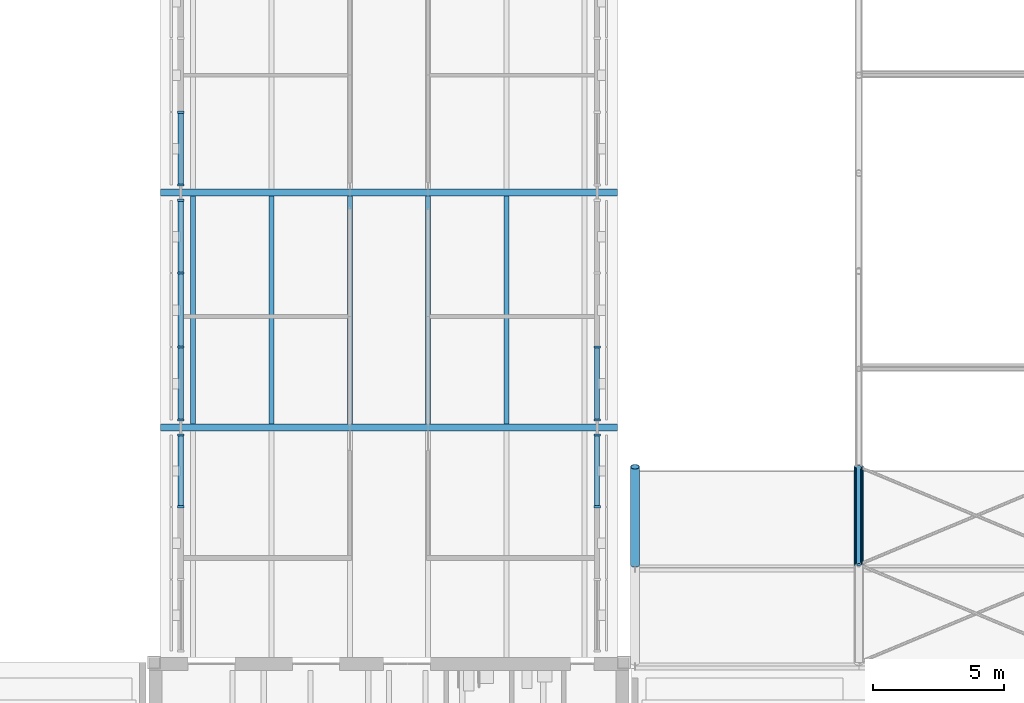
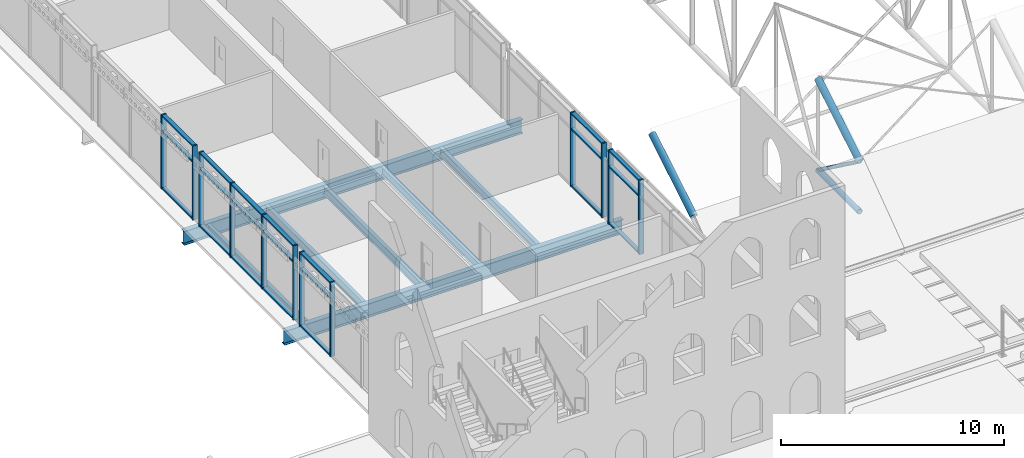
# One storey, part 25 of 153: 37 members, 7 beams, 5 elements without a shape of their own.
"""IFC4 building model written with IfcOpenShell, lengths in metres."""

from ifc_helpers import new_model, si_unit, direction, frame, origin, origin_2d, place, context, subcontext, project, spatial, rectangle, hollow_circle, i_section, extrude, material, material_profile, profile_set, type_object, element, aggregate, save


model = new_model("IFC4")

# Units and contexts
model_context = context("Model", 3, precision=1e-05, world=origin(), true_north=direction((0.0, 1.0)))
body_context = subcontext(model_context, "Body", "Model", "MODEL_VIEW")
ifc_project = project(units=[si_unit("LENGTHUNIT", "METRE"), si_unit("AREAUNIT", "SQUARE_METRE"), si_unit("VOLUMEUNIT", "CUBIC_METRE"), si_unit("PLANEANGLEUNIT", "RADIAN"), si_unit("MASSUNIT", "GRAM", prefix="KILO")], contexts=[model_context])

# Site, building, storey
site_placement = place(None, origin())
site = spatial("IfcSite", under=ifc_project, at=site_placement, CompositionType="ELEMENT")
building_placement = place(site_placement, origin())
building = spatial("IfcBuilding", under=site, at=building_placement, Name="Baradari Gate Terminus", CompositionType="ELEMENT")
storey_placement = place(building_placement, frame((0.0, 0.0, 11.699951171875)))
storey = spatial("IfcBuildingStorey", under=building, at=storey_placement, Name="L02", CompositionType="ELEMENT", Elevation=11.699951171875)

# Curtain wall, members
ifc_material_1 = material(Name="Aluminium 6063-T6", Category="aluminium")
curtain_wall_type = type_object("IfcCurtainWallType", Name="Curtain wall CW-3 gate face, office floors", PredefinedType="NOTDEFINED", material=ifc_material_1)
curtain_wall_1_placement = place(storey_placement, origin())
curtain_wall_1 = element("IfcCurtainWall", 1, at=curtain_wall_1_placement, inside=storey, type_object=curtain_wall_type, Name="Curtain wall CW-3 gate west face L02 bay 1", PredefinedType="NOTDEFINED")
ifc_material_2 = material(Name="Aluminium 6063-T6", Category="aluminium")
ifc_material_profile_1 = material_profile(ifc_material_2, rectangle(XDim=0.25, YDim=0.080078125, at=origin_2d()), Name="CM-3 80X250")
ifc_profile_set_1 = profile_set([ifc_material_profile_1], Name="Aluminium 6063-T6")
member_type_1 = type_object("IfcMemberType", Name="Curtain wall mullion CM-3 80x250", PredefinedType="MULLION", material=ifc_profile_set_1)
member_1_placement = place(storey_placement, frame((73.02490234375, 41.966552734375, 0.0), z_axis=(0.0, 0.0, 1.0), x_axis=(-1.0, 0.0, 0.0)))
member_1 = element("IfcMember", 2, at=member_1_placement, type_object=member_type_1, Name="CW-3 mullion 3", PredefinedType="MULLION", context=body_context, shape_type="SweptSolid", body=[
    extrude(rectangle(XDim=0.25, YDim=0.080078125, at=origin_2d()), origin(), (0.0, 0.0, 1.0), 4.050048828125),
])
member_2_placement = place(storey_placement, frame((73.02490234375, 44.7099609375, 0.0), z_axis=(0.0, 0.0, 1.0), x_axis=(-1.0, 0.0, 0.0)))
member_2 = element("IfcMember", 3, at=member_2_placement, type_object=member_type_1, Name="CW-3 mullion 4", PredefinedType="MULLION", context=body_context, shape_type="SweptSolid", body=[
    extrude(rectangle(XDim=0.25, YDim=0.080078125, at=origin_2d()), origin(), (0.0, 0.0, 1.0), 4.050048828125),
])

curtain_wall_2_placement = place(storey_placement, origin())
curtain_wall_2 = element("IfcCurtainWall", 4, at=curtain_wall_2_placement, inside=storey, type_object=curtain_wall_type, Name="Curtain wall CW-3 gate west face L02 bay 2", PredefinedType="NOTDEFINED")
member_3_placement = place(storey_placement, frame((73.02490234375, 45.2900390625, 0.0), z_axis=(0.0, 0.0, 1.0), x_axis=(-1.0, 0.0, 0.0)))
member_3 = element("IfcMember", 5, at=member_3_placement, type_object=member_type_1, Name="CW-3 mullion 1", PredefinedType="MULLION", context=body_context, shape_type="SweptSolid", body=[
    extrude(rectangle(XDim=0.25, YDim=0.080078125, at=origin_2d()), origin(), (0.0, 0.0, 1.0), 4.050048828125),
])
member_4_placement = place(storey_placement, frame((73.02490234375, 48.083251953125, 0.0), z_axis=(0.0, 0.0, 1.0), x_axis=(-1.0, 0.0, 0.0)))
member_4 = element("IfcMember", 6, at=member_4_placement, type_object=member_type_1, Name="CW-3 mullion 2", PredefinedType="MULLION", context=body_context, shape_type="SweptSolid", body=[
    extrude(rectangle(XDim=0.25, YDim=0.080078125, at=origin_2d()), origin(), (0.0, 0.0, 1.0), 4.050048828125),
])
member_5_placement = place(storey_placement, frame((73.02490234375, 50.916748046875, 0.0), z_axis=(0.0, 0.0, 1.0), x_axis=(-1.0, 0.0, 0.0)))
member_5 = element("IfcMember", 7, at=member_5_placement, type_object=member_type_1, Name="CW-3 mullion 3", PredefinedType="MULLION", context=body_context, shape_type="SweptSolid", body=[
    extrude(rectangle(XDim=0.25, YDim=0.080078125, at=origin_2d()), origin(), (0.0, 0.0, 1.0), 4.050048828125),
])
member_6_placement = place(storey_placement, frame((73.02490234375, 53.7099609375, 0.0), z_axis=(0.0, 0.0, 1.0), x_axis=(-1.0, 0.0, 0.0)))
member_6 = element("IfcMember", 8, at=member_6_placement, type_object=member_type_1, Name="CW-3 mullion 4", PredefinedType="MULLION", context=body_context, shape_type="SweptSolid", body=[
    extrude(rectangle(XDim=0.25, YDim=0.080078125, at=origin_2d()), origin(), (0.0, 0.0, 1.0), 4.050048828125),
])

curtain_wall_3_placement = place(storey_placement, origin())
curtain_wall_3 = element("IfcCurtainWall", 9, at=curtain_wall_3_placement, inside=storey, type_object=curtain_wall_type, Name="Curtain wall CW-3 gate west face L02 bay 3", PredefinedType="NOTDEFINED")
member_7_placement = place(storey_placement, frame((73.02490234375, 54.2900390625, 0.0), z_axis=(0.0, 0.0, 1.0), x_axis=(-1.0, 0.0, 0.0)))
member_7 = element("IfcMember", 10, at=member_7_placement, type_object=member_type_1, Name="CW-3 mullion 1", PredefinedType="MULLION", context=body_context, shape_type="SweptSolid", body=[
    extrude(rectangle(XDim=0.25, YDim=0.080078125, at=origin_2d()), origin(), (0.0, 0.0, 1.0), 4.050048828125),
])
member_8_placement = place(storey_placement, frame((73.02490234375, 57.083251953125, 0.0), z_axis=(0.0, 0.0, 1.0), x_axis=(-1.0, 0.0, 0.0)))
member_8 = element("IfcMember", 11, at=member_8_placement, type_object=member_type_1, Name="CW-3 mullion 2", PredefinedType="MULLION", context=body_context, shape_type="SweptSolid", body=[
    extrude(rectangle(XDim=0.25, YDim=0.080078125, at=origin_2d()), origin(), (0.0, 0.0, 1.0), 4.050048828125),
])

curtain_wall_4_placement = place(storey_placement, origin())
curtain_wall_4 = element("IfcCurtainWall", 12, at=curtain_wall_4_placement, inside=storey, type_object=curtain_wall_type, Name="Curtain wall CW-3 gate east face L02 bay 1", PredefinedType="NOTDEFINED")
member_9_placement = place(storey_placement, frame((88.97509765625, 41.966552734375, 0.0), z_axis=(0.0, 0.0, 1.0), x_axis=(-1.0, 0.0, 0.0)))
member_9 = element("IfcMember", 13, at=member_9_placement, type_object=member_type_1, Name="CW-3 mullion 3", PredefinedType="MULLION", context=body_context, shape_type="SweptSolid", body=[
    extrude(rectangle(XDim=0.25, YDim=0.080078125, at=origin_2d()), origin(), (0.0, 0.0, 1.0), 4.050048828125),
])
member_10_placement = place(storey_placement, frame((88.97509765625, 44.7099609375, 0.0), z_axis=(0.0, 0.0, 1.0), x_axis=(-1.0, 0.0, 0.0)))
member_10 = element("IfcMember", 14, at=member_10_placement, type_object=member_type_1, Name="CW-3 mullion 4", PredefinedType="MULLION", context=body_context, shape_type="SweptSolid", body=[
    extrude(rectangle(XDim=0.25, YDim=0.080078125, at=origin_2d()), origin(), (0.0, 0.0, 1.0), 4.050048828125),
])

curtain_wall_5_placement = place(storey_placement, origin())
curtain_wall_5 = element("IfcCurtainWall", 15, at=curtain_wall_5_placement, inside=storey, type_object=curtain_wall_type, Name="Curtain wall CW-3 gate east face L02 bay 2", PredefinedType="NOTDEFINED")
member_11_placement = place(storey_placement, frame((88.97509765625, 45.2900390625, 0.0), z_axis=(0.0, 0.0, 1.0), x_axis=(-1.0, 0.0, 0.0)))
member_11 = element("IfcMember", 16, at=member_11_placement, type_object=member_type_1, Name="CW-3 mullion 1", PredefinedType="MULLION", context=body_context, shape_type="SweptSolid", body=[
    extrude(rectangle(XDim=0.25, YDim=0.080078125, at=origin_2d()), origin(), (0.0, 0.0, 1.0), 4.050048828125),
])
member_12_placement = place(storey_placement, frame((88.97509765625, 48.083251953125, 0.0), z_axis=(0.0, 0.0, 1.0), x_axis=(-1.0, 0.0, 0.0)))
member_12 = element("IfcMember", 17, at=member_12_placement, type_object=member_type_1, Name="CW-3 mullion 2", PredefinedType="MULLION", context=body_context, shape_type="SweptSolid", body=[
    extrude(rectangle(XDim=0.25, YDim=0.080078125, at=origin_2d()), origin(), (0.0, 0.0, 1.0), 4.050048828125),
])

# Member
ifc_material_3 = material(Name="Aluminium 6063-T6", Category="aluminium")
ifc_material_profile_2 = material_profile(ifc_material_3, rectangle(XDim=0.199951171875, YDim=0.080078125, at=origin_2d()), Name="CT-3 80X200")
ifc_profile_set_2 = profile_set([ifc_material_profile_2], Name="Aluminium 6063-T6")
member_type_2 = type_object("IfcMemberType", Name="Curtain wall transom CT-3 80x200", PredefinedType="USERDEFINED", material=ifc_profile_set_2)
member_13_placement = place(storey_placement, frame((73.02490234375, 42.006591796875, 0.0400390625), z_axis=(0.0, 1.0, 0.0), x_axis=(-1.0, 0.0, 0.0)))
member_13 = element("IfcMember", 18, at=member_13_placement, type_object=member_type_2, Name="CW-3 transom 3.1", ObjectType="TRANSOM", PredefinedType="USERDEFINED", context=body_context, shape_type="SweptSolid", body=[
    extrude(rectangle(XDim=0.199951171875, YDim=0.080078125, at=origin_2d()), origin(), (0.0, 0.0, 1.0), 2.663330078125),
])

member_14_placement = place(storey_placement, frame((73.02490234375, 42.006591796875, 3.150146484375), z_axis=(0.0, 1.0, 0.0), x_axis=(-1.0, 0.0, 0.0)))
member_14 = element("IfcMember", 19, at=member_14_placement, type_object=member_type_2, Name="CW-3 transom 3.2", ObjectType="TRANSOM", PredefinedType="USERDEFINED", context=body_context, shape_type="SweptSolid", body=[
    extrude(rectangle(XDim=0.199951171875, YDim=0.080078125, at=origin_2d()), origin(), (0.0, 0.0, 1.0), 2.663330078125),
])

member_15_placement = place(storey_placement, frame((73.02490234375, 42.006591796875, 4.010009765625), z_axis=(0.0, 1.0, 0.0), x_axis=(-1.0, 0.0, 0.0)))
member_15 = element("IfcMember", 20, at=member_15_placement, type_object=member_type_2, Name="CW-3 transom 3.3", ObjectType="TRANSOM", PredefinedType="USERDEFINED", context=body_context, shape_type="SweptSolid", body=[
    extrude(rectangle(XDim=0.199951171875, YDim=0.080078125, at=origin_2d()), origin(), (0.0, 0.0, 1.0), 2.663330078125),
])

aggregate(curtain_wall_1, [member_1, member_2, member_13, member_14, member_15])

member_16_placement = place(storey_placement, frame((73.02490234375, 45.330078125, 0.0400390625), z_axis=(0.0, 1.0, 0.0), x_axis=(-1.0, 0.0, 0.0)))
member_16 = element("IfcMember", 21, at=member_16_placement, type_object=member_type_2, Name="CW-3 transom 1.1", ObjectType="TRANSOM", PredefinedType="USERDEFINED", context=body_context, shape_type="SweptSolid", body=[
    extrude(rectangle(XDim=0.199951171875, YDim=0.080078125, at=origin_2d()), origin(), (0.0, 0.0, 1.0), 2.713134765625),
])

member_17_placement = place(storey_placement, frame((73.02490234375, 45.330078125, 3.150146484375), z_axis=(0.0, 1.0, 0.0), x_axis=(-1.0, 0.0, 0.0)))
member_17 = element("IfcMember", 22, at=member_17_placement, type_object=member_type_2, Name="CW-3 transom 1.2", ObjectType="TRANSOM", PredefinedType="USERDEFINED", context=body_context, shape_type="SweptSolid", body=[
    extrude(rectangle(XDim=0.199951171875, YDim=0.080078125, at=origin_2d()), origin(), (0.0, 0.0, 1.0), 2.713134765625),
])

member_18_placement = place(storey_placement, frame((73.02490234375, 45.330078125, 4.010009765625), z_axis=(0.0, 1.0, 0.0), x_axis=(-1.0, 0.0, 0.0)))
member_18 = element("IfcMember", 23, at=member_18_placement, type_object=member_type_2, Name="CW-3 transom 1.3", ObjectType="TRANSOM", PredefinedType="USERDEFINED", context=body_context, shape_type="SweptSolid", body=[
    extrude(rectangle(XDim=0.199951171875, YDim=0.080078125, at=origin_2d()), origin(), (0.0, 0.0, 1.0), 2.713134765625),
])

member_19_placement = place(storey_placement, frame((73.02490234375, 48.123291015625, 0.0400390625), z_axis=(0.0, 1.0, 0.0), x_axis=(-1.0, 0.0, 0.0)))
member_19 = element("IfcMember", 24, at=member_19_placement, type_object=member_type_2, Name="CW-3 transom 2.1", ObjectType="TRANSOM", PredefinedType="USERDEFINED", context=body_context, shape_type="SweptSolid", body=[
    extrude(rectangle(XDim=0.199951171875, YDim=0.080078125, at=origin_2d()), origin(), (0.0, 0.0, 1.0), 2.75341796875),
])

member_20_placement = place(storey_placement, frame((73.02490234375, 48.123291015625, 3.150146484375), z_axis=(0.0, 1.0, 0.0), x_axis=(-1.0, 0.0, 0.0)))
member_20 = element("IfcMember", 25, at=member_20_placement, type_object=member_type_2, Name="CW-3 transom 2.2", ObjectType="TRANSOM", PredefinedType="USERDEFINED", context=body_context, shape_type="SweptSolid", body=[
    extrude(rectangle(XDim=0.199951171875, YDim=0.080078125, at=origin_2d()), origin(), (0.0, 0.0, 1.0), 2.75341796875),
])

member_21_placement = place(storey_placement, frame((73.02490234375, 48.123291015625, 4.010009765625), z_axis=(0.0, 1.0, 0.0), x_axis=(-1.0, 0.0, 0.0)))
member_21 = element("IfcMember", 26, at=member_21_placement, type_object=member_type_2, Name="CW-3 transom 2.3", ObjectType="TRANSOM", PredefinedType="USERDEFINED", context=body_context, shape_type="SweptSolid", body=[
    extrude(rectangle(XDim=0.199951171875, YDim=0.080078125, at=origin_2d()), origin(), (0.0, 0.0, 1.0), 2.75341796875),
])

member_22_placement = place(storey_placement, frame((73.02490234375, 50.956787109375, 0.0400390625), z_axis=(0.0, 1.0, 0.0), x_axis=(-1.0, 0.0, 0.0)))
member_22 = element("IfcMember", 27, at=member_22_placement, type_object=member_type_2, Name="CW-3 transom 3.1", ObjectType="TRANSOM", PredefinedType="USERDEFINED", context=body_context, shape_type="SweptSolid", body=[
    extrude(rectangle(XDim=0.199951171875, YDim=0.080078125, at=origin_2d()), origin(), (0.0, 0.0, 1.0), 2.713134765625),
])

member_23_placement = place(storey_placement, frame((73.02490234375, 50.956787109375, 3.150146484375), z_axis=(0.0, 1.0, 0.0), x_axis=(-1.0, 0.0, 0.0)))
member_23 = element("IfcMember", 28, at=member_23_placement, type_object=member_type_2, Name="CW-3 transom 3.2", ObjectType="TRANSOM", PredefinedType="USERDEFINED", context=body_context, shape_type="SweptSolid", body=[
    extrude(rectangle(XDim=0.199951171875, YDim=0.080078125, at=origin_2d()), origin(), (0.0, 0.0, 1.0), 2.713134765625),
])

member_24_placement = place(storey_placement, frame((73.02490234375, 50.956787109375, 4.010009765625), z_axis=(0.0, 1.0, 0.0), x_axis=(-1.0, 0.0, 0.0)))
member_24 = element("IfcMember", 29, at=member_24_placement, type_object=member_type_2, Name="CW-3 transom 3.3", ObjectType="TRANSOM", PredefinedType="USERDEFINED", context=body_context, shape_type="SweptSolid", body=[
    extrude(rectangle(XDim=0.199951171875, YDim=0.080078125, at=origin_2d()), origin(), (0.0, 0.0, 1.0), 2.713134765625),
])

aggregate(curtain_wall_2, [member_3, member_4, member_5, member_6, member_16, member_17, member_18, member_19, member_20, member_21, member_22, member_23, member_24])

member_25_placement = place(storey_placement, frame((73.02490234375, 54.330078125, 0.0400390625), z_axis=(0.0, 1.0, 0.0), x_axis=(-1.0, 0.0, 0.0)))
member_25 = element("IfcMember", 30, at=member_25_placement, type_object=member_type_2, Name="CW-3 transom 1.1", ObjectType="TRANSOM", PredefinedType="USERDEFINED", context=body_context, shape_type="SweptSolid", body=[
    extrude(rectangle(XDim=0.199951171875, YDim=0.080078125, at=origin_2d()), origin(), (0.0, 0.0, 1.0), 2.713134765625),
])

member_26_placement = place(storey_placement, frame((73.02490234375, 54.330078125, 3.150146484375), z_axis=(0.0, 1.0, 0.0), x_axis=(-1.0, 0.0, 0.0)))
member_26 = element("IfcMember", 31, at=member_26_placement, type_object=member_type_2, Name="CW-3 transom 1.2", ObjectType="TRANSOM", PredefinedType="USERDEFINED", context=body_context, shape_type="SweptSolid", body=[
    extrude(rectangle(XDim=0.199951171875, YDim=0.080078125, at=origin_2d()), origin(), (0.0, 0.0, 1.0), 2.713134765625),
])

member_27_placement = place(storey_placement, frame((73.02490234375, 54.330078125, 4.010009765625), z_axis=(0.0, 1.0, 0.0), x_axis=(-1.0, 0.0, 0.0)))
member_27 = element("IfcMember", 32, at=member_27_placement, type_object=member_type_2, Name="CW-3 transom 1.3", ObjectType="TRANSOM", PredefinedType="USERDEFINED", context=body_context, shape_type="SweptSolid", body=[
    extrude(rectangle(XDim=0.199951171875, YDim=0.080078125, at=origin_2d()), origin(), (0.0, 0.0, 1.0), 2.713134765625),
])

aggregate(curtain_wall_3, [member_7, member_8, member_25, member_26, member_27])

member_28_placement = place(storey_placement, frame((88.97509765625, 42.006591796875, 0.0400390625), z_axis=(0.0, 1.0, 0.0), x_axis=(-1.0, 0.0, 0.0)))
member_28 = element("IfcMember", 33, at=member_28_placement, type_object=member_type_2, Name="CW-3 transom 3.1", ObjectType="TRANSOM", PredefinedType="USERDEFINED", context=body_context, shape_type="SweptSolid", body=[
    extrude(rectangle(XDim=0.199951171875, YDim=0.080078125, at=origin_2d()), origin(), (0.0, 0.0, 1.0), 2.663330078125),
])

member_29_placement = place(storey_placement, frame((88.97509765625, 42.006591796875, 3.150146484375), z_axis=(0.0, 1.0, 0.0), x_axis=(-1.0, 0.0, 0.0)))
member_29 = element("IfcMember", 34, at=member_29_placement, type_object=member_type_2, Name="CW-3 transom 3.2", ObjectType="TRANSOM", PredefinedType="USERDEFINED", context=body_context, shape_type="SweptSolid", body=[
    extrude(rectangle(XDim=0.199951171875, YDim=0.080078125, at=origin_2d()), origin(), (0.0, 0.0, 1.0), 2.663330078125),
])

member_30_placement = place(storey_placement, frame((88.97509765625, 42.006591796875, 4.010009765625), z_axis=(0.0, 1.0, 0.0), x_axis=(-1.0, 0.0, 0.0)))
member_30 = element("IfcMember", 35, at=member_30_placement, type_object=member_type_2, Name="CW-3 transom 3.3", ObjectType="TRANSOM", PredefinedType="USERDEFINED", context=body_context, shape_type="SweptSolid", body=[
    extrude(rectangle(XDim=0.199951171875, YDim=0.080078125, at=origin_2d()), origin(), (0.0, 0.0, 1.0), 2.663330078125),
])

aggregate(curtain_wall_4, [member_9, member_10, member_28, member_29, member_30])

member_31_placement = place(storey_placement, frame((88.97509765625, 45.330078125, 0.0400390625), z_axis=(0.0, 1.0, 0.0), x_axis=(-1.0, 0.0, 0.0)))
member_31 = element("IfcMember", 36, at=member_31_placement, type_object=member_type_2, Name="CW-3 transom 1.1", ObjectType="TRANSOM", PredefinedType="USERDEFINED", context=body_context, shape_type="SweptSolid", body=[
    extrude(rectangle(XDim=0.199951171875, YDim=0.080078125, at=origin_2d()), origin(), (0.0, 0.0, 1.0), 2.713134765625),
])

member_32_placement = place(storey_placement, frame((88.97509765625, 45.330078125, 3.150146484375), z_axis=(0.0, 1.0, 0.0), x_axis=(-1.0, 0.0, 0.0)))
member_32 = element("IfcMember", 37, at=member_32_placement, type_object=member_type_2, Name="CW-3 transom 1.2", ObjectType="TRANSOM", PredefinedType="USERDEFINED", context=body_context, shape_type="SweptSolid", body=[
    extrude(rectangle(XDim=0.199951171875, YDim=0.080078125, at=origin_2d()), origin(), (0.0, 0.0, 1.0), 2.713134765625),
])

member_33_placement = place(storey_placement, frame((88.97509765625, 45.330078125, 4.010009765625), z_axis=(0.0, 1.0, 0.0), x_axis=(-1.0, 0.0, 0.0)))
member_33 = element("IfcMember", 38, at=member_33_placement, type_object=member_type_2, Name="CW-3 transom 1.3", ObjectType="TRANSOM", PredefinedType="USERDEFINED", context=body_context, shape_type="SweptSolid", body=[
    extrude(rectangle(XDim=0.199951171875, YDim=0.080078125, at=origin_2d()), origin(), (0.0, 0.0, 1.0), 2.713134765625),
])

aggregate(curtain_wall_5, [member_11, member_12, member_31, member_32, member_33])

# Beams
ifc_material_4 = material(Name="Steel S355", Category="steel")
ifc_material_profile_3 = material_profile(ifc_material_4, i_section(OverallWidth=0.2666015625, OverallDepth=0.76220703125, WebThickness=0.014404296875, FlangeThickness=0.021484375, FilletRadius=0.0166015625, at=origin_2d()), Name="UB 762x267x173")
ifc_profile_set_3 = profile_set([ifc_material_profile_3], Name="Steel S355")
beam_type_1 = type_object("IfcBeamType", Name="Gate girder B30 UB 762x267x173", PredefinedType="BEAM", material=ifc_profile_set_3)
for number, where, z_axis, x_axis, name in (
    (39, (72.25, 45.0, -0.531005859375), (1.0, 0.0, 0.0), (0.0, 1.0, 0.0), "Gate girder B30 F:72.25-89.75 L02"),
    (40, (72.25, 54.0, -0.531005859375), (1.0, 0.0, 0.0), (0.0, 1.0, 0.0), "Gate girder B30 G:72.25-89.75 L02"),
):
    element("IfcBeam", number, at=place(storey_placement, frame(where, z_axis=z_axis, x_axis=x_axis)), inside=storey, type_object=beam_type_1, Name=name, PredefinedType="BEAM", context=body_context, shape_type="SweptSolid", body=[
        extrude(i_section(OverallWidth=0.2666015625, OverallDepth=0.76220703125, WebThickness=0.014404296875, FlangeThickness=0.021484375, FilletRadius=0.0166015625, at=origin_2d()), origin(), (0.0, 0.0, 1.0), 17.5),
    ])
ifc_material_5 = material(Name="Steel S355", Category="steel")
ifc_material_profile_4 = material_profile(ifc_material_5, i_section(OverallWidth=0.19140625, OverallDepth=0.4599609375, WebThickness=0.010009765625, FlangeThickness=0.01611328125, FilletRadius=0.01025390625, at=origin_2d()), Name="UB 457x191x82")
ifc_profile_set_4 = profile_set([ifc_material_profile_4], Name="Steel S355")
beam_type_2 = type_object("IfcBeamType", Name="Gate secondary beam B31 UB 457x191x82", PredefinedType="BEAM", material=ifc_profile_set_4)
for number, where, z_axis, x_axis, name in (
    (41, (73.5, 45.13330078125, -0.3798828125), (0.0, 1.0, 0.0), (-1.0, 0.0, 0.0), "Gate secondary beam B31 73.5:45.133-53.867 L02"),
    (42, (76.5, 45.13330078125, -0.3798828125), (0.0, 1.0, 0.0), (-1.0, 0.0, 0.0), "Gate secondary beam B31 76.5:45.133-53.867 L02"),
    (43, (79.5, 45.13330078125, -0.3798828125), (0.0, 1.0, 0.0), (-1.0, 0.0, 0.0), "Gate secondary beam B31 79.5:45.133-53.867 L02"),
    (44, (82.5, 45.13330078125, -0.3798828125), (0.0, 1.0, 0.0), (-1.0, 0.0, 0.0), "Gate secondary beam B31 82.5:45.133-53.867 L02"),
    (45, (85.5, 45.13330078125, -0.3798828125), (0.0, 1.0, 0.0), (-1.0, 0.0, 0.0), "Gate secondary beam B31 85.5:45.133-53.867 L02"),
):
    element("IfcBeam", number, at=place(storey_placement, frame(where, z_axis=z_axis, x_axis=x_axis)), inside=storey, type_object=beam_type_2, Name=name, PredefinedType="BEAM", context=body_context, shape_type="SweptSolid", body=[
        extrude(i_section(OverallWidth=0.19140625, OverallDepth=0.4599609375, WebThickness=0.010009765625, FlangeThickness=0.01611328125, FilletRadius=0.01025390625, at=origin_2d()), origin(), (0.0, 0.0, 1.0), 8.7333984375),
    ])

# Members
ifc_material_6 = material(Name="Steel S355", Category="steel")
ifc_material_profile_5 = material_profile(ifc_material_6, hollow_circle(Radius=0.177734375, WallThickness=0.01611328125, at=origin_2d()), Name="CHS 355.6x16")
ifc_profile_set_5 = profile_set([ifc_material_profile_5], Name="Steel S355")
member_type_3 = type_object("IfcMemberType", Name="Shed abutment rail CHS 355.6x16", PredefinedType="CHORD", material=ifc_profile_set_5)
member_34_placement = place(storey_placement, frame((90.427734375, 39.75, 2.886474609375), z_axis=(0.0, 0.857492925713, 0.514495755428), x_axis=(-1.0, 0.0, 0.0)))
element("IfcMember", 46, at=member_34_placement, inside=storey, type_object=member_type_3, Name="TR/L02/LR01", PredefinedType="CHORD", context=body_context, shape_type="SweptSolid", body=[
    extrude(hollow_circle(Radius=0.177734375, WallThickness=0.01611328125, at=origin_2d()), origin(), (0.0, 0.0, 1.0), 4.373291015625),
])
ifc_material_7 = material(Name="Steel S355", Category="steel")
ifc_material_profile_6 = material_profile(ifc_material_7, hollow_circle(Radius=0.136474609375, WallThickness=0.012451171875, at=origin_2d()), Name="CHS 273x12.5")
ifc_profile_set_6 = profile_set([ifc_material_profile_6], Name="Steel S355")
member_type_4 = type_object("IfcMemberType", Name="Shed bottom chord CHS 273x12.5", PredefinedType="CHORD", material=ifc_profile_set_6)
member_35_placement = place(storey_placement, frame((99.0, 39.75, 0.136474609375), z_axis=(0.0, 1.0, 0.0), x_axis=(-1.0, 0.0, 0.0)))
element("IfcMember", 47, at=member_35_placement, inside=storey, type_object=member_type_4, Name="TR/L02/S99-BC01", PredefinedType="CHORD", context=body_context, shape_type="SweptSolid", body=[
    extrude(hollow_circle(Radius=0.136474609375, WallThickness=0.012451171875, at=origin_2d()), origin(), (0.0, 0.0, 1.0), 3.75),
])
ifc_material_8 = material(Name="Steel S355", Category="steel")
ifc_material_profile_7 = material_profile(ifc_material_8, hollow_circle(Radius=0.177734375, WallThickness=0.01611328125, at=origin_2d()), Name="CHS 355.6x16")
ifc_profile_set_7 = profile_set([ifc_material_profile_7], Name="Steel S355")
member_type_5 = type_object("IfcMemberType", Name="Shed top chord CHS 355.6x16", PredefinedType="CHORD", material=ifc_profile_set_7)
member_36_placement = place(storey_placement, frame((99.0, 39.75, 2.886474609375), z_axis=(0.0, 0.857492925713, 0.514495755428), x_axis=(-1.0, 0.0, 0.0)))
element("IfcMember", 48, at=member_36_placement, inside=storey, type_object=member_type_5, Name="TR/L02/S99-TC01", PredefinedType="CHORD", context=body_context, shape_type="SweptSolid", body=[
    extrude(hollow_circle(Radius=0.177734375, WallThickness=0.01611328125, at=origin_2d()), origin(), (0.0, 0.0, 1.0), 4.373291015625),
])
ifc_material_9 = material(Name="Steel S355", Category="steel")
ifc_material_profile_8 = material_profile(ifc_material_9, hollow_circle(Radius=0.096923828125, WallThickness=0.008056640625, at=origin_2d()), Name="CHS 193.7x8")
ifc_profile_set_8 = profile_set([ifc_material_profile_8], Name="Steel S355")
member_type_6 = type_object("IfcMemberType", Name="Shed truss diagonal CHS 193.7x8", PredefinedType="BRACE", material=ifc_profile_set_8)
member_37_placement = place(storey_placement, frame((99.0, 39.75, 2.886474609375), z_axis=(0.0, 0.806404995856, -0.591363663628), x_axis=(-1.0, 0.0, 0.0)))
element("IfcMember", 49, at=member_37_placement, inside=storey, type_object=member_type_6, Name="TR/L02/S99-SD01", PredefinedType="BRACE", context=body_context, shape_type="SweptSolid", body=[
    extrude(hollow_circle(Radius=0.096923828125, WallThickness=0.008056640625, at=origin_2d()), origin(), (0.0, 0.0, 1.0), 4.650390625),
])

save(model, "model.ifc")
